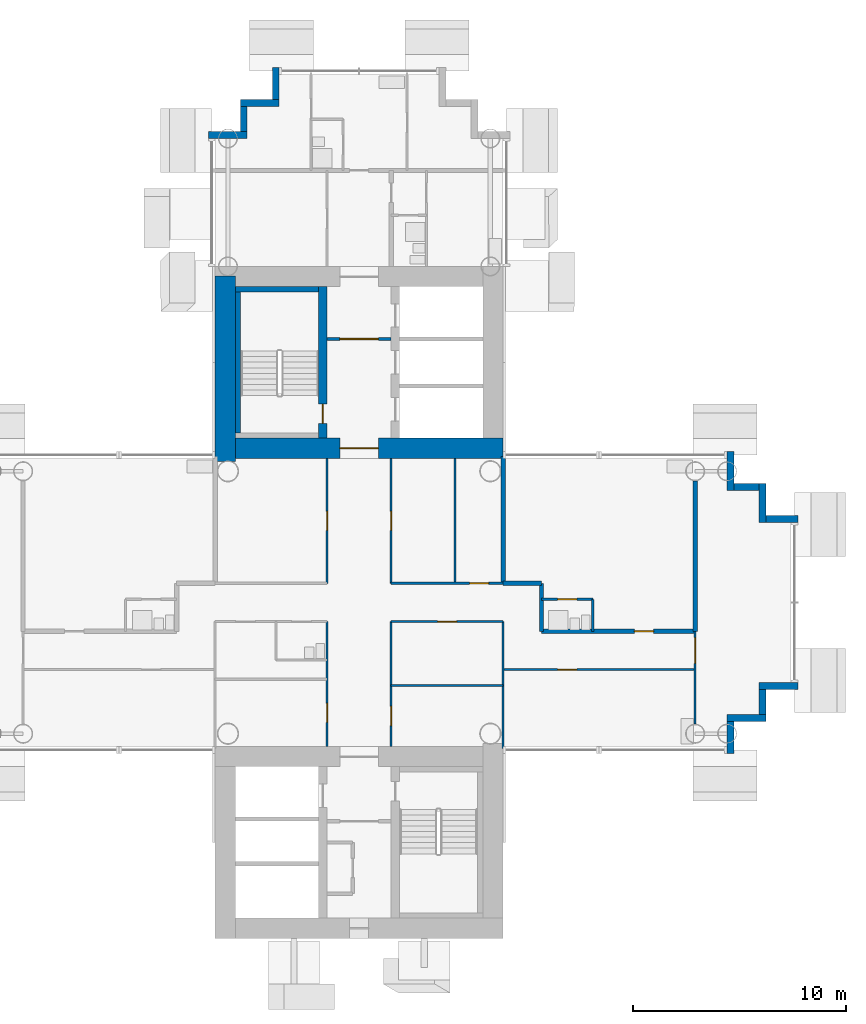
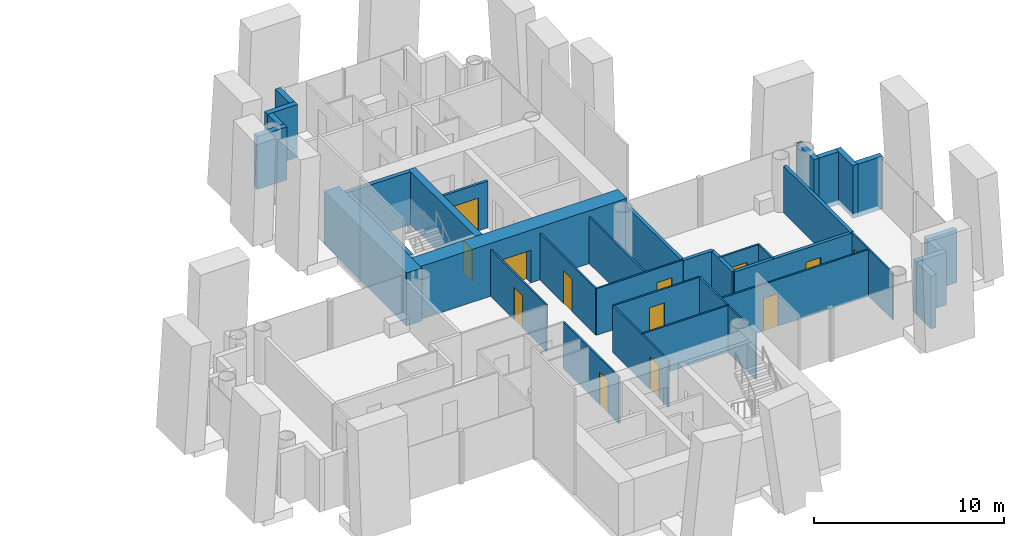
# One storey, part 12 of 21: 36 walls, 13 doors, 13 openings.
"""IFC4 building model written with IfcOpenShell, lengths in metres."""

from ifc_helpers import new_model, si_unit, direction, frame, frame_2d, origin, place, context, subcontext, project, spatial, rectangle, extrude, material, layer, layer_set, type_object, element, fill, save


model = new_model("IFC4")

# Units and contexts
model_context = context("Model", 3, precision=1e-05, world=origin(), true_north=direction((0.0, 1.0)))
body_context = subcontext(model_context, "Body", "Model", "MODEL_VIEW")
ifc_project = project(units=[si_unit("LENGTHUNIT", "METRE"), si_unit("AREAUNIT", "SQUARE_METRE"), si_unit("VOLUMEUNIT", "CUBIC_METRE"), si_unit("PLANEANGLEUNIT", "RADIAN"), si_unit("MASSUNIT", "GRAM", prefix="KILO")], contexts=[model_context])

# Site, building, storey
site_placement = place(None, origin())
site = spatial("IfcSite", under=ifc_project, at=site_placement, CompositionType="ELEMENT")
building_placement = place(site_placement, origin())
building = spatial("IfcBuilding", under=site, at=building_placement, Name="Ipe Terrace Towers", CompositionType="ELEMENT")
storey_placement = place(building_placement, frame((0.0, 0.0, 80.0)))
storey = spatial("IfcBuildingStorey", under=building, at=storey_placement, Name="L21", CompositionType="ELEMENT", Elevation=80.0)

# Walls
ifc_material_1 = material(Name="Concrete C40/50 with buff precast cladding", Category="concrete")
ifc_layer_1 = layer(ifc_material_1, 0.320068359375)
ifc_layer_set_1 = layer_set([ifc_layer_1], Name="BUFF CLADDING WALL 320")
wall_type_1 = type_object("IfcWallType", Name="BUFF CLADDING WALL 320", PredefinedType="STANDARD", material=ifc_layer_set_1)
wall_1_placement = place(storey_placement, frame((53.409912109375, -7.070068359375, -0.300048828125), z_axis=(0.0, 0.0, 1.0), x_axis=(0.0, 1.0, 0.0)))
element("IfcWall", 1, at=wall_1_placement, inside=storey, type_object=wall_type_1, Name="T2-W-L21-04a wall", PredefinedType="STANDARD", context=body_context, shape_type="SweptSolid", body=[
    extrude(rectangle(XDim=1.5, YDim=0.320068359375, at=frame_2d((0.75, 0.0))), origin(), (0.0, 0.0, 1.0), 3.400146484375),
])
wall_2_placement = place(storey_placement, frame((53.25, -5.409912109375, -0.300048828125), z_axis=(0.0, 0.0, 1.0), x_axis=(1.0, 0.0, 0.0)))
element("IfcWall", 2, at=wall_2_placement, inside=storey, type_object=wall_type_1, Name="T2-W-L21-05a wall", PredefinedType="STANDARD", context=body_context, shape_type="SweptSolid", body=[
    extrude(rectangle(XDim=1.820068359375, YDim=0.320068359375, at=frame_2d((0.91015625, 0.0))), origin(), (0.0, 0.0, 1.0), 3.400146484375),
])
wall_3_placement = place(storey_placement, frame((54.909912109375, -5.25, -0.300048828125), z_axis=(0.0, 0.0, 1.0), x_axis=(0.0, 1.0, 0.0)))
element("IfcWall", 3, at=wall_3_placement, inside=storey, type_object=wall_type_1, Name="T2-W-L21-06a wall", PredefinedType="STANDARD", context=body_context, shape_type="SweptSolid", body=[
    extrude(rectangle(XDim=1.179931640625, YDim=0.320068359375, at=frame_2d((0.58984375, 0.0))), origin(), (0.0, 0.0, 1.0), 3.400146484375),
])
wall_4_placement = place(storey_placement, frame((54.75, -3.909912109375, -0.300048828125), z_axis=(0.0, 0.0, 1.0), x_axis=(1.0, 0.0, 0.0)))
element("IfcWall", 4, at=wall_4_placement, inside=storey, type_object=wall_type_1, Name="T2-W-L21-07a wall", PredefinedType="STANDARD", context=body_context, shape_type="SweptSolid", body=[
    extrude(rectangle(XDim=1.820068359375, YDim=0.320068359375, at=frame_2d((0.91015625, 0.0))), origin(), (0.0, 0.0, 1.0), 3.400146484375),
])
wall_5_placement = place(storey_placement, frame((56.570068359375, 3.909912109375, -0.300048828125), z_axis=(0.0, 0.0, 1.0), x_axis=(-1.0, 0.0, 0.0)))
element("IfcWall", 5, at=wall_5_placement, inside=storey, type_object=wall_type_1, Name="T2-W-L21-09a wall", PredefinedType="STANDARD", context=body_context, shape_type="SweptSolid", body=[
    extrude(rectangle(XDim=1.5, YDim=0.320068359375, at=frame_2d((0.75, 0.0))), origin(), (0.0, 0.0, 1.0), 3.400146484375),
])
wall_6_placement = place(storey_placement, frame((54.909912109375, 3.75, -0.300048828125), z_axis=(0.0, 0.0, 1.0), x_axis=(0.0, 1.0, 0.0)))
element("IfcWall", 6, at=wall_6_placement, inside=storey, type_object=wall_type_1, Name="T2-W-L21-10a wall", PredefinedType="STANDARD", context=body_context, shape_type="SweptSolid", body=[
    extrude(rectangle(XDim=1.820068359375, YDim=0.320068359375, at=frame_2d((0.91015625, 0.0))), origin(), (0.0, 0.0, 1.0), 3.400146484375),
])
wall_7_placement = place(storey_placement, frame((54.75, 5.409912109375, -0.300048828125), z_axis=(0.0, 0.0, 1.0), x_axis=(-1.0, 0.0, 0.0)))
element("IfcWall", 7, at=wall_7_placement, inside=storey, type_object=wall_type_1, Name="T2-W-L21-11a wall", PredefinedType="STANDARD", context=body_context, shape_type="SweptSolid", body=[
    extrude(rectangle(XDim=1.179931640625, YDim=0.320068359375, at=frame_2d((0.58984375, 0.0))), origin(), (0.0, 0.0, 1.0), 3.400146484375),
])
wall_8_placement = place(storey_placement, frame((53.409912109375, 5.25, -0.300048828125), z_axis=(0.0, 0.0, 1.0), x_axis=(0.0, 1.0, 0.0)))
element("IfcWall", 8, at=wall_8_placement, inside=storey, type_object=wall_type_1, Name="T2-W-L21-12a wall", PredefinedType="STANDARD", context=body_context, shape_type="SweptSolid", body=[
    extrude(rectangle(XDim=1.820068359375, YDim=0.320068359375, at=frame_2d((0.91015625, 0.0))), origin(), (0.0, 0.0, 1.0), 3.400146484375),
])
wall_9_placement = place(storey_placement, frame((32.090087890625, 25.070068359375, -0.300048828125), z_axis=(0.0, 0.0, 1.0), x_axis=(0.0, -1.0, 0.0)))
element("IfcWall", 9, at=wall_9_placement, inside=storey, type_object=wall_type_1, Name="T2-W-L21-22a wall", PredefinedType="STANDARD", context=body_context, shape_type="SweptSolid", body=[
    extrude(rectangle(XDim=1.5, YDim=0.320068359375, at=frame_2d((0.75, 0.0))), origin(), (0.0, 0.0, 1.0), 3.400146484375),
])
wall_10_placement = place(storey_placement, frame((32.25, 23.409912109375, -0.300048828125), z_axis=(0.0, 0.0, 1.0), x_axis=(-1.0, 0.0, 0.0)))
element("IfcWall", 10, at=wall_10_placement, inside=storey, type_object=wall_type_1, Name="T2-W-L21-23a wall", PredefinedType="STANDARD", context=body_context, shape_type="SweptSolid", body=[
    extrude(rectangle(XDim=1.820068359375, YDim=0.320068359375, at=frame_2d((0.91015625, 0.0))), origin(), (0.0, 0.0, 1.0), 3.400146484375),
])
wall_11_placement = place(storey_placement, frame((30.590087890625, 23.25, -0.300048828125), z_axis=(0.0, 0.0, 1.0), x_axis=(0.0, -1.0, 0.0)))
element("IfcWall", 11, at=wall_11_placement, inside=storey, type_object=wall_type_1, Name="T2-W-L21-24a wall", PredefinedType="STANDARD", context=body_context, shape_type="SweptSolid", body=[
    extrude(rectangle(XDim=1.179931640625, YDim=0.320068359375, at=frame_2d((0.58984375, 0.0))), origin(), (0.0, 0.0, 1.0), 3.400146484375),
])
wall_12_placement = place(storey_placement, frame((30.75, 21.909912109375, -0.300048828125), z_axis=(0.0, 0.0, 1.0), x_axis=(-1.0, 0.0, 0.0)))
element("IfcWall", 12, at=wall_12_placement, inside=storey, type_object=wall_type_1, Name="T2-W-L21-25a wall", PredefinedType="STANDARD", context=body_context, shape_type="SweptSolid", body=[
    extrude(rectangle(XDim=1.820068359375, YDim=0.320068359375, at=frame_2d((0.91015625, 0.0))), origin(), (0.0, 0.0, 1.0), 3.400146484375),
])
ifc_material_2 = material(Name="Gypsum board partition", Category="plasterboard")
ifc_layer_2 = layer(ifc_material_2, 0.10009765625)
ifc_layer_set_2 = layer_set([ifc_layer_2], Name="Gypsum board partition 100 mm")
wall_type_2 = type_object("IfcWallType", Name="Gypsum board partition 100 mm", PredefinedType="PARTITIONING", material=ifc_layer_set_2)
wall_13_placement = place(storey_placement, frame((42.75, -3.89990234375, 0.0), z_axis=(0.0, 0.0, 1.0), x_axis=(-1.0, 0.0, 0.0)))
element("IfcWall", 13, at=wall_13_placement, inside=storey, type_object=wall_type_2, Name="Gypsum board partition T2 L21 W01", PredefinedType="PARTITIONING", context=body_context, shape_type="SweptSolid", body=[
    extrude(rectangle(XDim=5.25, YDim=0.10009765625, at=frame_2d((2.625, 0.0))), origin(), (0.0, 0.0, 1.0), 3.0),
])

# Wall, opening, door
wall_14_placement = place(storey_placement, frame((51.75, -3.14990234375, 0.0), z_axis=(0.0, 0.0, 1.0), x_axis=(-1.0, 0.0, 0.0)))
wall_14 = element("IfcWall", 14, at=wall_14_placement, inside=storey, type_object=wall_type_2, Name="Gypsum board partition T2 L21 W03", PredefinedType="PARTITIONING", context=body_context, shape_type="SweptSolid", body=[
    extrude(rectangle(XDim=9.0, YDim=0.10009765625, at=frame_2d((4.5, 0.0))), origin(), (0.0, 0.0, 1.0), 3.0),
])
opening_1_placement = place(wall_14_placement, frame((5.550048828125, 0.0, 0.0)))
opening_1 = element("IfcOpeningElement", 15, at=opening_1_placement, cuts=wall_14, Name="Opening T2-Z2B-15", PredefinedType="OPENING", context=body_context, shape_type="SweptSolid", body=[
    extrude(rectangle(XDim=0.89990234375, YDim=2.10009765625, at=frame_2d((0.449951171875, 1.050048828125))), frame((0.0, 0.06005859375, 0.0), z_axis=(0.0, -1.0, 0.0), x_axis=(1.0, 0.0, 0.0)), (0.0, 0.0, 1.0), 0.1201171875),
])
ifc_material_3 = material(Name="Timber door leaf", Category="wood")
door_type_1 = type_object("IfcDoorType", Name="Lounge door 900 x 2100", OperationType="NOTDEFINED", PredefinedType="DOOR", material=ifc_material_3)
door_1_placement = place(opening_1_placement, origin())
door_1 = element("IfcDoor", 16, at=door_1_placement, inside=storey, type_object=door_type_1, Name="Lounge door T2-Z2B-15", OperationType="SINGLE_SWING_LEFT", OverallHeight=2.10009765625, OverallWidth=0.89990234375, PredefinedType="DOOR", context=body_context, shape_type="SweptSolid", body=[
    extrude(rectangle(XDim=0.89990234375, YDim=2.10009765625, at=frame_2d((0.449951171875, 1.050048828125))), frame((0.0, 0.02490234375, 0.0), z_axis=(0.0, -1.0, 0.0), x_axis=(1.0, 0.0, 0.0)), (0.0, 0.0, 1.0), 0.050048828125),
])
fill(opening_1, door_1)

wall_15_placement = place(storey_placement, frame((42.75, -0.89990234375, 0.0), z_axis=(0.0, 0.0, 1.0), x_axis=(-1.0, 0.0, 0.0)))
wall_15 = element("IfcWall", 17, at=wall_15_placement, inside=storey, type_object=wall_type_2, Name="Gypsum board partition T2 L21 W08", PredefinedType="PARTITIONING", context=body_context, shape_type="SweptSolid", body=[
    extrude(rectangle(XDim=5.25, YDim=0.10009765625, at=frame_2d((2.625, 0.0))), origin(), (0.0, 0.0, 1.0), 3.0),
])
opening_2_placement = place(wall_15_placement, frame((2.175048828125, 0.0, 0.0)))
opening_2 = element("IfcOpeningElement", 18, at=opening_2_placement, cuts=wall_15, Name="Opening T2-Z2B-05", PredefinedType="OPENING", context=body_context, shape_type="SweptSolid", body=[
    extrude(rectangle(XDim=0.89990234375, YDim=2.10009765625, at=frame_2d((0.449951171875, 1.050048828125))), frame((0.0, 0.06005859375, 0.0), z_axis=(0.0, -1.0, 0.0), x_axis=(1.0, 0.0, 0.0)), (0.0, 0.0, 1.0), 0.1201171875),
])
door_2_placement = place(opening_2_placement, origin())
door_2 = element("IfcDoor", 19, at=door_2_placement, inside=storey, type_object=door_type_1, Name="Lounge door T2-Z2B-05", OperationType="SINGLE_SWING_LEFT", OverallHeight=2.10009765625, OverallWidth=0.89990234375, PredefinedType="DOOR", context=body_context, shape_type="SweptSolid", body=[
    extrude(rectangle(XDim=0.89990234375, YDim=2.10009765625, at=frame_2d((0.449951171875, 1.050048828125))), frame((0.0, 0.02490234375, 0.0), z_axis=(0.0, -1.0, 0.0), x_axis=(1.0, 0.0, 0.0)), (0.0, 0.0, 1.0), 0.050048828125),
])
fill(opening_2, door_2)

wall_16_placement = place(storey_placement, frame((46.949951171875, 0.14990234375, 0.0), z_axis=(0.0, 0.0, 1.0), x_axis=(-1.0, 0.0, 0.0)))
wall_16 = element("IfcWall", 20, at=wall_16_placement, inside=storey, type_object=wall_type_2, Name="Gypsum board partition T2 L21 W10", PredefinedType="PARTITIONING", context=body_context, shape_type="SweptSolid", body=[
    extrude(rectangle(XDim=2.39990234375, YDim=0.10009765625, at=frame_2d((1.199951171875, 0.0))), origin(), (0.0, 0.0, 1.0), 3.0),
])
opening_3_placement = place(wall_16_placement, frame((0.75, 0.0, 0.0)))
opening_3 = element("IfcOpeningElement", 21, at=opening_3_placement, cuts=wall_16, Name="Opening T2-Z2B-14", PredefinedType="OPENING", context=body_context, shape_type="SweptSolid", body=[
    extrude(rectangle(XDim=0.89990234375, YDim=2.10009765625, at=frame_2d((0.449951171875, 1.050048828125))), frame((0.0, 0.06005859375, 0.0), z_axis=(0.0, -1.0, 0.0), x_axis=(1.0, 0.0, 0.0)), (0.0, 0.0, 1.0), 0.1201171875),
])
ifc_material_4 = material(Name="Timber door leaf", Category="wood")
door_type_2 = type_object("IfcDoorType", Name="Bathroom door 900 x 2100", OperationType="NOTDEFINED", PredefinedType="DOOR", material=ifc_material_4)
door_3_placement = place(opening_3_placement, origin())
door_3 = element("IfcDoor", 22, at=door_3_placement, inside=storey, type_object=door_type_2, Name="Bathroom door T2-Z2B-14", OperationType="SINGLE_SWING_LEFT", OverallHeight=2.10009765625, OverallWidth=0.89990234375, PredefinedType="DOOR", context=body_context, shape_type="SweptSolid", body=[
    extrude(rectangle(XDim=0.89990234375, YDim=2.10009765625, at=frame_2d((0.449951171875, 1.050048828125))), frame((0.0, 0.02490234375, 0.0), z_axis=(0.0, -1.0, 0.0), x_axis=(1.0, 0.0, 0.0)), (0.0, 0.0, 1.0), 0.050048828125),
])
fill(opening_3, door_3)

wall_17_placement = place(storey_placement, frame((42.75, 0.89990234375, 0.0), z_axis=(0.0, 0.0, 1.0), x_axis=(-1.0, 0.0, 0.0)))
wall_17 = element("IfcWall", 23, at=wall_17_placement, inside=storey, type_object=wall_type_2, Name="Gypsum board partition T2 L21 W12", PredefinedType="PARTITIONING", context=body_context, shape_type="SweptSolid", body=[
    extrude(rectangle(XDim=5.25, YDim=0.10009765625, at=frame_2d((2.625, 0.0))), origin(), (0.0, 0.0, 1.0), 3.0),
])
opening_4_placement = place(wall_17_placement, frame((0.675048828125, 0.0, 0.0)))
opening_4 = element("IfcOpeningElement", 24, at=opening_4_placement, cuts=wall_17, Name="Opening T2-Z2B-08", PredefinedType="OPENING", context=body_context, shape_type="SweptSolid", body=[
    extrude(rectangle(XDim=0.89990234375, YDim=2.10009765625, at=frame_2d((0.449951171875, 1.050048828125))), frame((0.0, 0.06005859375, 0.0), z_axis=(0.0, -1.0, 0.0), x_axis=(1.0, 0.0, 0.0)), (0.0, 0.0, 1.0), 0.1201171875),
])
door_4_placement = place(opening_4_placement, origin())
door_4 = element("IfcDoor", 25, at=door_4_placement, inside=storey, type_object=door_type_1, Name="Lounge door T2-Z2B-08", OperationType="SINGLE_SWING_LEFT", OverallHeight=2.10009765625, OverallWidth=0.89990234375, PredefinedType="DOOR", context=body_context, shape_type="SweptSolid", body=[
    extrude(rectangle(XDim=0.89990234375, YDim=2.10009765625, at=frame_2d((0.449951171875, 1.050048828125))), frame((0.0, 0.02490234375, 0.0), z_axis=(0.0, -1.0, 0.0), x_axis=(1.0, 0.0, 0.0)), (0.0, 0.0, 1.0), 0.050048828125),
])
fill(opening_4, door_4)

wall_18_placement = place(storey_placement, frame((51.75, -5.699951171875, 0.0), z_axis=(0.0, 0.0, 1.0), x_axis=(0.0, 1.0, 0.0)))
wall_18 = element("IfcWall", 26, at=wall_18_placement, inside=storey, type_object=wall_type_2, Name="Gypsum board partition T2 L21 W19", PredefinedType="PARTITIONING", context=body_context, shape_type="SweptSolid", body=[
    extrude(rectangle(XDim=4.349853515625, YDim=0.10009765625, at=frame_2d((2.1748046875, 0.0))), origin(), (0.0, 0.0, 1.0), 3.0),
])
opening_5_placement = place(wall_18_placement, frame((2.85009765625, 0.0, 0.0)))
opening_5 = element("IfcOpeningElement", 27, at=opening_5_placement, cuts=wall_18, Name="Opening T2-Z2B-16", PredefinedType="OPENING", context=body_context, shape_type="SweptSolid", body=[
    extrude(rectangle(XDim=1.199951171875, YDim=2.10009765625, at=frame_2d((0.60009765625, 1.050048828125))), frame((0.0, 0.06005859375, 0.0), z_axis=(0.0, -1.0, 0.0), x_axis=(1.0, 0.0, 0.0)), (0.0, 0.0, 1.0), 0.1201171875),
])
ifc_material_5 = material(Name="Timber door leaf", Category="wood")
door_type_3 = type_object("IfcDoorType", Name="Lounge door 1200 x 2100", OperationType="NOTDEFINED", PredefinedType="DOOR", material=ifc_material_5)
door_5_placement = place(opening_5_placement, origin())
door_5 = element("IfcDoor", 28, at=door_5_placement, inside=storey, type_object=door_type_3, Name="Lounge door T2-Z2B-16", OperationType="SINGLE_SWING_RIGHT", OverallHeight=2.10009765625, OverallWidth=1.199951171875, PredefinedType="DOOR", context=body_context, shape_type="SweptSolid", body=[
    extrude(rectangle(XDim=1.199951171875, YDim=2.10009765625, at=frame_2d((0.60009765625, 1.050048828125))), frame((0.0, 0.02490234375, 0.0), z_axis=(0.0, -1.0, 0.0), x_axis=(1.0, 0.0, 0.0)), (0.0, 0.0, 1.0), 0.050048828125),
])
fill(opening_5, door_5)

# Walls
wall_19_placement = place(storey_placement, frame((46.949951171875, -1.35009765625, 0.0), z_axis=(0.0, 0.0, 1.0), x_axis=(0.0, 1.0, 0.0)))
element("IfcWall", 29, at=wall_19_placement, inside=storey, type_object=wall_type_2, Name="Gypsum board partition T2 L21 W21", PredefinedType="PARTITIONING", context=body_context, shape_type="SweptSolid", body=[
    extrude(rectangle(XDim=1.5, YDim=0.10009765625, at=frame_2d((0.75, 0.0))), origin(), (0.0, 0.0, 1.0), 3.0),
])
wall_20_placement = place(storey_placement, frame((42.75, -6.85009765625, 0.0), z_axis=(0.0, 0.0, 1.0), x_axis=(0.0, 1.0, 0.0)))
element("IfcWall", 30, at=wall_20_placement, inside=storey, type_object=wall_type_2, Name="Gypsum board partition T2 L21 W23", PredefinedType="PARTITIONING", context=body_context, shape_type="SweptSolid", body=[
    extrude(rectangle(XDim=5.9501953125, YDim=0.10009765625, at=frame_2d((2.97509765625, 0.0))), origin(), (0.0, 0.0, 1.0), 3.0),
])
wall_21_placement = place(storey_placement, frame((40.5, 0.89990234375, 0.0), z_axis=(0.0, 0.0, 1.0), x_axis=(0.0, 1.0, 0.0)))
element("IfcWall", 31, at=wall_21_placement, inside=storey, type_object=wall_type_2, Name="Gypsum board partition T2 L21 W25", PredefinedType="PARTITIONING", context=body_context, shape_type="SweptSolid", body=[
    extrude(rectangle(XDim=5.85009765625, YDim=0.10009765625, at=frame_2d((2.925048828125, 0.0))), origin(), (0.0, 0.0, 1.0), 3.0),
])

# Wall, opening, door
wall_22_placement = place(storey_placement, frame((37.5, -6.75, 0.0), z_axis=(0.0, 0.0, 1.0), x_axis=(0.0, 1.0, 0.0)))
wall_22 = element("IfcWall", 32, at=wall_22_placement, inside=storey, type_object=wall_type_2, Name="Gypsum board partition T2 L21 W28", PredefinedType="PARTITIONING", context=body_context, shape_type="SweptSolid", body=[
    extrude(rectangle(XDim=5.85009765625, YDim=0.10009765625, at=frame_2d((2.925048828125, 0.0))), origin(), (0.0, 0.0, 1.0), 3.0),
])
opening_6_placement = place(wall_22_placement, frame((0.97509765625, 0.0, 0.0)))
opening_6 = element("IfcOpeningElement", 33, at=opening_6_placement, cuts=wall_22, Name="Opening T2-Z2B-06", PredefinedType="OPENING", context=body_context, shape_type="SweptSolid", body=[
    extrude(rectangle(XDim=0.89990234375, YDim=2.10009765625, at=frame_2d((0.449951171875, 1.050048828125))), frame((0.0, 0.06005859375, 0.0), z_axis=(0.0, -1.0, 0.0), x_axis=(1.0, 0.0, 0.0)), (0.0, 0.0, 1.0), 0.1201171875),
])
door_6_placement = place(opening_6_placement, origin())
door_6 = element("IfcDoor", 34, at=door_6_placement, inside=storey, type_object=door_type_1, Name="Lounge door T2-Z2B-06", OperationType="SINGLE_SWING_LEFT", OverallHeight=2.10009765625, OverallWidth=0.89990234375, PredefinedType="DOOR", context=body_context, shape_type="SweptSolid", body=[
    extrude(rectangle(XDim=0.89990234375, YDim=2.10009765625, at=frame_2d((0.449951171875, 1.050048828125))), frame((0.0, 0.02490234375, 0.0), z_axis=(0.0, -1.0, 0.0), x_axis=(1.0, 0.0, 0.0)), (0.0, 0.0, 1.0), 0.050048828125),
])
fill(opening_6, door_6)

wall_23_placement = place(storey_placement, frame((37.5, 0.89990234375, 0.0), z_axis=(0.0, 0.0, 1.0), x_axis=(0.0, 1.0, 0.0)))
wall_23 = element("IfcWall", 35, at=wall_23_placement, inside=storey, type_object=wall_type_2, Name="Gypsum board partition T2 L21 W29", PredefinedType="PARTITIONING", context=body_context, shape_type="SweptSolid", body=[
    extrude(rectangle(XDim=5.85009765625, YDim=0.10009765625, at=frame_2d((2.925048828125, 0.0))), origin(), (0.0, 0.0, 1.0), 3.0),
])
opening_7_placement = place(wall_23_placement, frame((2.47509765625, 0.0, 0.0)))
opening_7 = element("IfcOpeningElement", 36, at=opening_7_placement, cuts=wall_23, Name="Opening T2-Z2B-07", PredefinedType="OPENING", context=body_context, shape_type="SweptSolid", body=[
    extrude(rectangle(XDim=0.89990234375, YDim=2.10009765625, at=frame_2d((0.449951171875, 1.050048828125))), frame((0.0, 0.06005859375, 0.0), z_axis=(0.0, -1.0, 0.0), x_axis=(1.0, 0.0, 0.0)), (0.0, 0.0, 1.0), 0.1201171875),
])
door_7_placement = place(opening_7_placement, origin())
door_7 = element("IfcDoor", 37, at=door_7_placement, inside=storey, type_object=door_type_1, Name="Lounge door T2-Z2B-07", OperationType="SINGLE_SWING_RIGHT", OverallHeight=2.10009765625, OverallWidth=0.89990234375, PredefinedType="DOOR", context=body_context, shape_type="SweptSolid", body=[
    extrude(rectangle(XDim=0.89990234375, YDim=2.10009765625, at=frame_2d((0.449951171875, 1.050048828125))), frame((0.0, 0.02490234375, 0.0), z_axis=(0.0, -1.0, 0.0), x_axis=(1.0, 0.0, 0.0)), (0.0, 0.0, 1.0), 0.050048828125),
])
fill(opening_7, door_7)

wall_24_placement = place(storey_placement, frame((34.5, -6.75, 0.0), z_axis=(0.0, 0.0, 1.0), x_axis=(0.0, 1.0, 0.0)))
wall_24 = element("IfcWall", 38, at=wall_24_placement, inside=storey, type_object=wall_type_2, Name="Gypsum board partition T2 L21 W32", PredefinedType="PARTITIONING", context=body_context, shape_type="SweptSolid", body=[
    extrude(rectangle(XDim=5.85009765625, YDim=0.10009765625, at=frame_2d((2.925048828125, 0.0))), origin(), (0.0, 0.0, 1.0), 3.0),
])
opening_8_placement = place(wall_24_placement, frame((1.125, 0.0, 0.0)))
opening_8 = element("IfcOpeningElement", 39, at=opening_8_placement, cuts=wall_24, Name="Opening T2-Z2B-04", PredefinedType="OPENING", context=body_context, shape_type="SweptSolid", body=[
    extrude(rectangle(XDim=0.89990234375, YDim=2.10009765625, at=frame_2d((0.449951171875, 1.050048828125))), frame((0.0, 0.06005859375, 0.0), z_axis=(0.0, -1.0, 0.0), x_axis=(1.0, 0.0, 0.0)), (0.0, 0.0, 1.0), 0.1201171875),
])
door_8_placement = place(opening_8_placement, origin())
door_8 = element("IfcDoor", 40, at=door_8_placement, inside=storey, type_object=door_type_1, Name="Lounge door T2-Z2B-04", OperationType="SINGLE_SWING_RIGHT", OverallHeight=2.10009765625, OverallWidth=0.89990234375, PredefinedType="DOOR", context=body_context, shape_type="SweptSolid", body=[
    extrude(rectangle(XDim=0.89990234375, YDim=2.10009765625, at=frame_2d((0.449951171875, 1.050048828125))), frame((0.0, 0.02490234375, 0.0), z_axis=(0.0, -1.0, 0.0), x_axis=(1.0, 0.0, 0.0)), (0.0, 0.0, 1.0), 0.050048828125),
])
fill(opening_8, door_8)

wall_25_placement = place(storey_placement, frame((34.5, 0.89990234375, 0.0), z_axis=(0.0, 0.0, 1.0), x_axis=(0.0, 1.0, 0.0)))
wall_25 = element("IfcWall", 41, at=wall_25_placement, inside=storey, type_object=wall_type_2, Name="Gypsum board partition T2 L21 W33", PredefinedType="PARTITIONING", context=body_context, shape_type="SweptSolid", body=[
    extrude(rectangle(XDim=5.85009765625, YDim=0.10009765625, at=frame_2d((2.925048828125, 0.0))), origin(), (0.0, 0.0, 1.0), 3.0),
])
opening_9_placement = place(wall_25_placement, frame((2.47509765625, 0.0, 0.0)))
opening_9 = element("IfcOpeningElement", 42, at=opening_9_placement, cuts=wall_25, Name="Opening T2-Z2B-02", PredefinedType="OPENING", context=body_context, shape_type="SweptSolid", body=[
    extrude(rectangle(XDim=0.89990234375, YDim=2.10009765625, at=frame_2d((0.449951171875, 1.050048828125))), frame((0.0, 0.06005859375, 0.0), z_axis=(0.0, -1.0, 0.0), x_axis=(1.0, 0.0, 0.0)), (0.0, 0.0, 1.0), 0.1201171875),
])
door_9_placement = place(opening_9_placement, origin())
door_9 = element("IfcDoor", 43, at=door_9_placement, inside=storey, type_object=door_type_1, Name="Lounge door T2-Z2B-02", OperationType="SINGLE_SWING_LEFT", OverallHeight=2.10009765625, OverallWidth=0.89990234375, PredefinedType="DOOR", context=body_context, shape_type="SweptSolid", body=[
    extrude(rectangle(XDim=0.89990234375, YDim=2.10009765625, at=frame_2d((0.449951171875, 1.050048828125))), frame((0.0, 0.02490234375, 0.0), z_axis=(0.0, -1.0, 0.0), x_axis=(1.0, 0.0, 0.0)), (0.0, 0.0, 1.0), 0.050048828125),
])
fill(opening_9, door_9)

ifc_material_6 = material(Name="Gypsum board partition", Category="plasterboard")
ifc_layer_3 = layer(ifc_material_6, 0.14990234375)
ifc_layer_set_3 = layer_set([ifc_layer_3], Name="Gypsum board partition 150 mm")
wall_type_3 = type_object("IfcWallType", Name="Gypsum board partition 150 mm", PredefinedType="PARTITIONING", material=ifc_layer_set_3)
wall_26_placement = place(storey_placement, frame((37.5, 12.35009765625, 0.0), z_axis=(0.0, 0.0, 1.0), x_axis=(-1.0, 0.0, 0.0)))
wall_26 = element("IfcWall", 44, at=wall_26_placement, inside=storey, type_object=wall_type_3, Name="Gypsum board partition T2 L21 t2c1-lobby-wall", PredefinedType="PARTITIONING", context=body_context, shape_type="SweptSolid", body=[
    extrude(rectangle(XDim=3.0, YDim=0.14990234375, at=frame_2d((1.5, 0.0))), origin(), (0.0, 0.0, 1.0), 3.0),
])
opening_10_placement = place(wall_26_placement, frame((0.60009765625, 0.0, 0.0)))
opening_10 = element("IfcOpeningElement", 45, at=opening_10_placement, cuts=wall_26, Name="Opening T2C1-VD", PredefinedType="OPENING", context=body_context, shape_type="SweptSolid", body=[
    extrude(rectangle(XDim=1.800048828125, YDim=2.10009765625, at=frame_2d((0.89990234375, 1.050048828125))), frame((0.0, 0.0849609375, 0.0), z_axis=(0.0, -1.0, 0.0), x_axis=(1.0, 0.0, 0.0)), (0.0, 0.0, 1.0), 0.169921875),
])
ifc_material_7 = material(Name="Fire-rated timber door leaf", Category="wood")
door_type_4 = type_object("IfcDoorType", Name="Lobby door 1800 x 2100 FD60", OperationType="NOTDEFINED", PredefinedType="DOOR", material=ifc_material_7)
door_10_placement = place(opening_10_placement, origin())
door_10 = element("IfcDoor", 46, at=door_10_placement, inside=storey, type_object=door_type_4, Name="Lobby door T2C1-VD", OperationType="SINGLE_SWING_LEFT", OverallHeight=2.10009765625, OverallWidth=1.800048828125, PredefinedType="DOOR", context=body_context, shape_type="SweptSolid", body=[
    extrude(rectangle(XDim=1.800048828125, YDim=2.10009765625, at=frame_2d((0.89990234375, 1.050048828125))), frame((0.0, 0.02490234375, 0.0), z_axis=(0.0, -1.0, 0.0), x_axis=(1.0, 0.0, 0.0)), (0.0, 0.0, 1.0), 0.050048828125),
])
fill(opening_10, door_10)

ifc_material_8 = material(Name="Gypsum board party wall", Category="plasterboard")
ifc_layer_4 = layer(ifc_material_8, 0.199951171875)
ifc_layer_set_4 = layer_set([ifc_layer_4], Name="Gypsum board party wall 200 mm")
wall_type_4 = type_object("IfcWallType", Name="Gypsum board party wall 200 mm", PredefinedType="SOLIDWALL", material=ifc_layer_set_4)
wall_27_placement = place(storey_placement, frame((51.75, -1.35009765625, 0.0), z_axis=(0.0, 0.0, 1.0), x_axis=(-1.0, 0.0, 0.0)))
wall_27 = element("IfcWall", 47, at=wall_27_placement, inside=storey, type_object=wall_type_4, Name="Gypsum board party wall T2 L21 W06", PredefinedType="SOLIDWALL", context=body_context, shape_type="SweptSolid", body=[
    extrude(rectangle(XDim=7.199951171875, YDim=0.199951171875, at=frame_2d((3.60009765625, 0.0))), origin(), (0.0, 0.0, 1.0), 3.0),
])
opening_11_placement = place(wall_27_placement, frame((1.949951171875, 0.0, 0.0)))
opening_11 = element("IfcOpeningElement", 48, at=opening_11_placement, cuts=wall_27, Name="Opening T2-Z2B-13", PredefinedType="OPENING", context=body_context, shape_type="SweptSolid", body=[
    extrude(rectangle(XDim=0.89990234375, YDim=2.10009765625, at=frame_2d((0.449951171875, 1.050048828125))), frame((0.0, 0.10986328125, 0.0), z_axis=(0.0, -1.0, 0.0), x_axis=(1.0, 0.0, 0.0)), (0.0, 0.0, 1.0), 0.219970703125),
])
ifc_material_9 = material(Name="Fire-rated timber door leaf", Category="wood")
door_type_5 = type_object("IfcDoorType", Name="Flat entrance door 900 x 2100 FD30S", OperationType="NOTDEFINED", PredefinedType="DOOR", material=ifc_material_9)
door_11_placement = place(opening_11_placement, origin())
door_11 = element("IfcDoor", 49, at=door_11_placement, inside=storey, type_object=door_type_5, Name="Flat entrance door T2-Z2B-13", OperationType="SINGLE_SWING_LEFT", OverallHeight=2.10009765625, OverallWidth=0.89990234375, PredefinedType="DOOR", context=body_context, shape_type="SweptSolid", body=[
    extrude(rectangle(XDim=0.89990234375, YDim=2.10009765625, at=frame_2d((0.449951171875, 1.050048828125))), frame((0.0, 0.02490234375, 0.0), z_axis=(0.0, -1.0, 0.0), x_axis=(1.0, 0.0, 0.0)), (0.0, 0.0, 1.0), 0.050048828125),
])
fill(opening_11, door_11)

# Walls
wall_28_placement = place(storey_placement, frame((44.550048828125, 0.89990234375, 0.0), z_axis=(0.0, 0.0, 1.0), x_axis=(-1.0, 0.0, 0.0)))
element("IfcWall", 50, at=wall_28_placement, inside=storey, type_object=wall_type_4, Name="Gypsum board party wall T2 L21 W14", PredefinedType="SOLIDWALL", context=body_context, shape_type="SweptSolid", body=[
    extrude(rectangle(XDim=1.800048828125, YDim=0.199951171875, at=frame_2d((0.89990234375, 0.0))), origin(), (0.0, 0.0, 1.0), 3.0),
])
wall_29_placement = place(storey_placement, frame((51.75, -1.35009765625, 0.0), z_axis=(0.0, 0.0, 1.0), x_axis=(0.0, 1.0, 0.0)))
element("IfcWall", 51, at=wall_29_placement, inside=storey, type_object=wall_type_4, Name="Gypsum board party wall T2 L21 W20", PredefinedType="SOLIDWALL", context=body_context, shape_type="SweptSolid", body=[
    extrude(rectangle(XDim=7.050048828125, YDim=0.199951171875, at=frame_2d((3.52490234375, 0.0))), origin(), (0.0, 0.0, 1.0), 3.0),
])
wall_30_placement = place(storey_placement, frame((44.550048828125, -1.35009765625, 0.0), z_axis=(0.0, 0.0, 1.0), x_axis=(0.0, 1.0, 0.0)))
element("IfcWall", 52, at=wall_30_placement, inside=storey, type_object=wall_type_4, Name="Gypsum board party wall T2 L21 W22", PredefinedType="SOLIDWALL", context=body_context, shape_type="SweptSolid", body=[
    extrude(rectangle(XDim=2.25, YDim=0.199951171875, at=frame_2d((1.125, 0.0))), origin(), (0.0, 0.0, 1.0), 3.0),
])
wall_31_placement = place(storey_placement, frame((42.75, 0.89990234375, 0.0), z_axis=(0.0, 0.0, 1.0), x_axis=(0.0, 1.0, 0.0)))
element("IfcWall", 53, at=wall_31_placement, inside=storey, type_object=wall_type_4, Name="Gypsum board party wall T2 L21 W24", PredefinedType="SOLIDWALL", context=body_context, shape_type="SweptSolid", body=[
    extrude(rectangle(XDim=5.9501953125, YDim=0.199951171875, at=frame_2d((2.97509765625, 0.0))), origin(), (0.0, 0.0, 1.0), 3.0),
])
ifc_material_10 = material(Name="Concrete C50/60", Category="concrete")
ifc_layer_5 = layer(ifc_material_10, 0.25)
ifc_layer_set_5 = layer_set([ifc_layer_5], Name="RW250 CORE INFILL WALL 250 C50-60")
wall_type_5 = type_object("IfcWallType", Name="RW250 CORE INFILL WALL 250 C50-60", PredefinedType="SHEAR", material=ifc_layer_set_5)
wall_32_placement = place(storey_placement, frame((34.10009765625, 14.675048828125, 0.0), z_axis=(0.0, 0.0, 1.0), x_axis=(-1.0, 0.0, 0.0)))
element("IfcWall", 54, at=wall_32_placement, inside=storey, type_object=wall_type_5, Name="Core infill wall T2-C1-far", PredefinedType="SHEAR", context=body_context, shape_type="SweptSolid", body=[
    extrude(rectangle(XDim=3.900146484375, YDim=0.25, at=frame_2d((1.9501953125, 0.0))), origin(), (0.0, 0.0, 1.0), 3.39990234375),
])
wall_33_placement = place(storey_placement, frame((30.324951171875, 7.949951171875, 0.0), z_axis=(0.0, 0.0, 1.0), x_axis=(0.0, 1.0, 0.0)))
element("IfcWall", 55, at=wall_33_placement, inside=storey, type_object=wall_type_5, Name="Core infill wall T2-C1-back", PredefinedType="SHEAR", context=body_context, shape_type="SweptSolid", body=[
    extrude(rectangle(XDim=6.60009765625, YDim=0.25, at=frame_2d((3.300048828125, 0.0))), origin(), (0.0, 0.0, 1.0), 3.39990234375),
])

# Wall, opening, door
ifc_material_11 = material(Name="Concrete C50/60", Category="concrete")
ifc_layer_6 = layer(ifc_material_11, 0.39990234375)
ifc_layer_set_6 = layer_set([ifc_layer_6], Name="RW400 CORE SPINE WALL 400 C50-60")
wall_type_6 = type_object("IfcWallType", Name="RW400 CORE SPINE WALL 400 C50-60", PredefinedType="SHEAR", material=ifc_layer_set_6)
wall_34_placement = place(storey_placement, frame((34.300048828125, 7.699951171875, 0.0), z_axis=(0.0, 0.0, 1.0), x_axis=(0.0, 1.0, 0.0)))
wall_34 = element("IfcWall", 56, at=wall_34_placement, inside=storey, type_object=wall_type_6, Name="Core spine wall T2-C1-Z2-SW1", PredefinedType="SHEAR", context=body_context, shape_type="SweptSolid", body=[
    extrude(rectangle(XDim=7.10009765625, YDim=0.39990234375, at=frame_2d((3.550048828125, 0.0))), origin(), (0.0, 0.0, 1.0), 3.39990234375),
])
opening_12_placement = place(wall_34_placement, frame((0.699951171875, 0.0, 0.0)))
opening_12 = element("IfcOpeningElement", 57, at=opening_12_placement, cuts=wall_34, Name="Opening T2C1-SD", PredefinedType="OPENING", context=body_context, shape_type="SweptSolid", body=[
    extrude(rectangle(XDim=0.89990234375, YDim=2.10009765625, at=frame_2d((0.449951171875, 1.050048828125))), frame((0.0, 0.2099609375, 0.0), z_axis=(0.0, -1.0, 0.0), x_axis=(1.0, 0.0, 0.0)), (0.0, 0.0, 1.0), 0.419921875),
])
ifc_material_12 = material(Name="Fire-rated timber door leaf", Category="wood")
door_type_6 = type_object("IfcDoorType", Name="Stair door 900 x 2100 FD60", OperationType="NOTDEFINED", PredefinedType="DOOR", material=ifc_material_12)
door_12_placement = place(opening_12_placement, origin())
door_12 = element("IfcDoor", 58, at=door_12_placement, inside=storey, type_object=door_type_6, Name="Stair door T2C1-SD", OperationType="SINGLE_SWING_LEFT", OverallHeight=2.10009765625, OverallWidth=0.89990234375, PredefinedType="DOOR", context=body_context, shape_type="SweptSolid", body=[
    extrude(rectangle(XDim=0.89990234375, YDim=2.10009765625, at=frame_2d((0.449951171875, 1.050048828125))), frame((0.0, 0.02490234375, 0.0), z_axis=(0.0, -1.0, 0.0), x_axis=(1.0, 0.0, 0.0)), (0.0, 0.0, 1.0), 0.050048828125),
])
fill(opening_12, door_12)

ifc_material_13 = material(Name="Concrete C50/60", Category="concrete")
ifc_layer_7 = layer(ifc_material_13, 0.949951171875)
ifc_layer_set_7 = layer_set([ifc_layer_7], Name="RW950 CORE WALL 950 C50-60")
wall_type_7 = type_object("IfcWallType", Name="RW950 CORE WALL 950 C50-60", PredefinedType="SHEAR", material=ifc_layer_set_7)
wall_35_placement = place(storey_placement, frame((30.199951171875, 7.22509765625, 0.0), z_axis=(0.0, 0.0, 1.0), x_axis=(1.0, 0.0, 0.0)))
wall_35 = element("IfcWall", 59, at=wall_35_placement, inside=storey, type_object=wall_type_7, Name="Core wall T2-C1-Z2-W01", PredefinedType="SHEAR", context=body_context, shape_type="SweptSolid", body=[
    extrude(rectangle(XDim=12.550048828125, YDim=0.949951171875, at=frame_2d((6.27490234375, 0.0))), origin(), (0.0, 0.0, 1.0), 3.39990234375),
])
opening_13_placement = place(wall_35_placement, frame((4.89990234375, 0.0, 0.0)))
opening_13 = element("IfcOpeningElement", 60, at=opening_13_placement, cuts=wall_35, Name="Opening T2C1-ND", PredefinedType="OPENING", context=body_context, shape_type="SweptSolid", body=[
    extrude(rectangle(XDim=1.800048828125, YDim=2.10009765625, at=frame_2d((0.89990234375, 1.050048828125))), frame((0.0, 0.48486328125, 0.0), z_axis=(0.0, -1.0, 0.0), x_axis=(1.0, 0.0, 0.0)), (0.0, 0.0, 1.0), 0.969970703125),
])
ifc_material_14 = material(Name="Fire-rated timber door leaf", Category="wood")
door_type_7 = type_object("IfcDoorType", Name="Fire door 1800 x 2100 FD30S", OperationType="NOTDEFINED", PredefinedType="DOOR", material=ifc_material_14)
door_13_placement = place(opening_13_placement, origin())
door_13 = element("IfcDoor", 61, at=door_13_placement, inside=storey, type_object=door_type_7, Name="Fire door T2C1-ND", OperationType="SINGLE_SWING_LEFT", OverallHeight=2.10009765625, OverallWidth=1.800048828125, PredefinedType="DOOR", context=body_context, shape_type="SweptSolid", body=[
    extrude(rectangle(XDim=1.800048828125, YDim=2.10009765625, at=frame_2d((0.89990234375, 1.050048828125))), frame((0.0, 0.02490234375, 0.0), z_axis=(0.0, -1.0, 0.0), x_axis=(1.0, 0.0, 0.0)), (0.0, 0.0, 1.0), 0.050048828125),
])
fill(opening_13, door_13)

# Wall
wall_36_placement = place(storey_placement, frame((29.72509765625, 15.298095703125, 0.0), z_axis=(0.0, 0.0, 1.0), x_axis=(0.0, -1.0, 0.0)))
element("IfcWall", 62, at=wall_36_placement, inside=storey, type_object=wall_type_7, Name="Core wall T2-C1-Z2-W04", PredefinedType="SHEAR", context=body_context, shape_type="SweptSolid", body=[
    extrude(rectangle(XDim=8.696044921875, YDim=0.949951171875, at=frame_2d((4.34814453125, 0.0))), origin(), (0.0, 0.0, 1.0), 3.39990234375),
])

save(model, "model.ifc")
